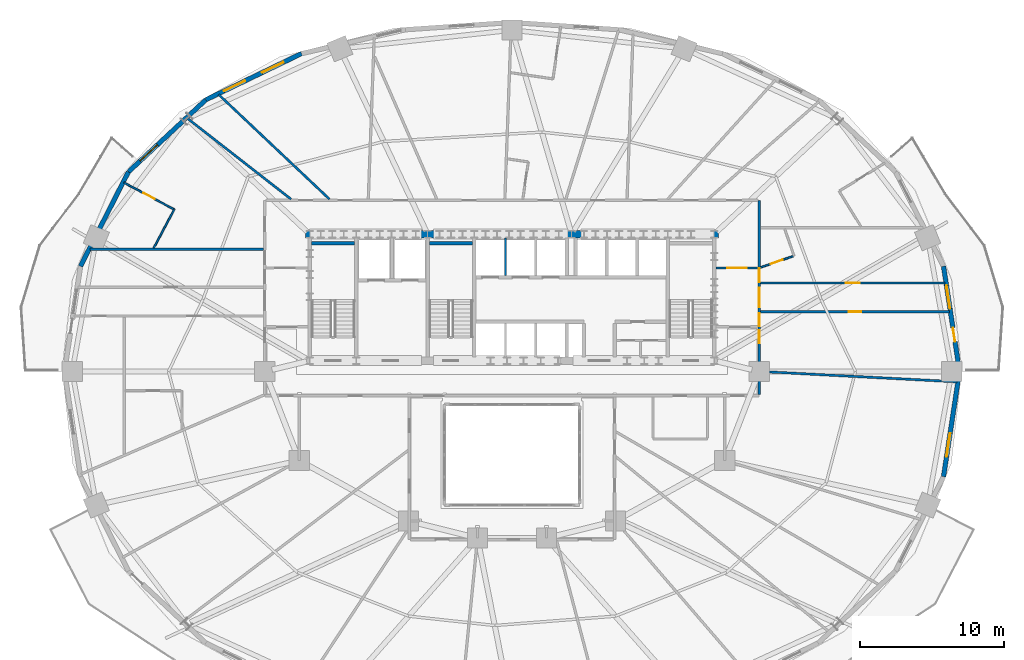
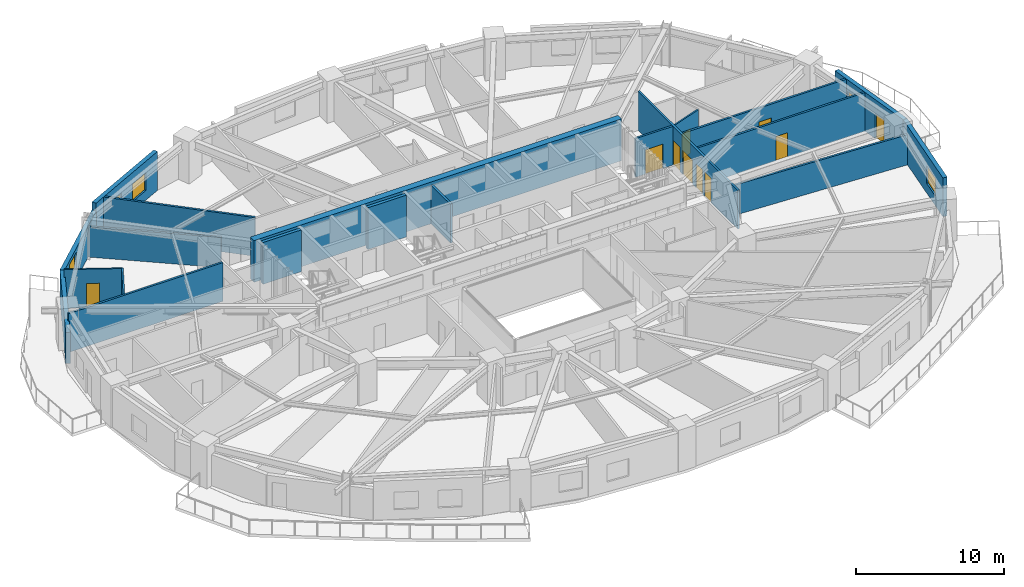
# One storey, part 12 of 18: 20 walls, 10 doors, 5 windows, 15 openings.
"""IFC4 building model written with IfcOpenShell, lengths in metres."""

import ifcopenshell
import ifcopenshell.guid

model = None  # the IFC model being written
_history = None  # IfcOwnerHistory: only IFC2X3 demands one
_inside = {}  # id of a spatial element -> (the spatial element, [elements in it])
_under = {}  # id of a project, library or spatial element -> (it, [spatial elements below it])
_declared = {}  # id of a project -> (the project, [libraries it declares])
_typed = {}  # id of a type object -> (the type object, [elements of that type])
_made_of = {}  # id of a material, layer set ... -> (it, [elements and type objects made of it])


def new_model(schema):
    """Start an empty IFC model of exactly this schema.

    Asked for "IFC4X3", IfcOpenShell would pick the latest addendum, in which some entities
    have other attributes; the version numbers below select the first issue.
    IFC2X3 requires an IfcOwnerHistory on every rooted entity: one is made here for all.
    """
    global model, _history
    if schema == "IFC4X3":
        model = ifcopenshell.file(schema_version=(4, 3, 0, 0))
    else:
        model = ifcopenshell.file(schema=schema)
    _inside.clear()
    _under.clear()
    _declared.clear()
    _typed.clear()
    _made_of.clear()
    _history = None
    if model.schema == "IFC2X3":
        org = make("IfcOrganization", Name="unknown")
        user = make(
            "IfcPersonAndOrganization",
            ThePerson=make("IfcPerson", FamilyName="unknown"),
            TheOrganization=org,
        )
        app = make(
            "IfcApplication",
            ApplicationDeveloper=org,
            Version="unknown",
            ApplicationFullName="unknown",
            ApplicationIdentifier="unknown",
        )
        _history = make(
            "IfcOwnerHistory",
            OwningUser=user,
            OwningApplication=app,
            ChangeAction="ADDED",
            CreationDate=0,
        )
    return model


def make(cls, **values):
    """One entity of the class cls with the attributes given. An attribute that is None is left unset."""
    return model.create_entity(
        cls, **{name: value for name, value in values.items() if value is not None}
    )


def rooted(cls, **values):
    """An entity with a GlobalId (a new one), such as an element, a storey or a relation."""
    return make(cls, GlobalId=ifcopenshell.guid.new(), OwnerHistory=_history, **values)


def si_unit(unit_type, name, prefix=None):
    """IfcSIUnit, for example si_unit("LENGTHUNIT", "METRE", prefix="MILLI")."""
    return make("IfcSIUnit", UnitType=unit_type, Prefix=prefix, Name=name)


def assignment(units):
    """IfcUnitAssignment: the units of a project."""
    return None if units is None else make("IfcUnitAssignment", Units=units)


def point(xyz):
    """IfcCartesianPoint."""
    return None if xyz is None else make("IfcCartesianPoint", Coordinates=xyz)


def direction(xyz):
    """IfcDirection."""
    return None if xyz is None else make("IfcDirection", DirectionRatios=xyz)


def frame(location, z_axis=None, x_axis=None):
    """IfcAxis2Placement3D, a coordinate frame: its origin and axes. An axis left out is left unset."""
    return make(
        "IfcAxis2Placement3D",
        Location=point(location),
        Axis=direction(z_axis),
        RefDirection=direction(x_axis),
    )


def frame_2d(location, x_axis=None):
    """IfcAxis2Placement2D, a coordinate frame in the plane: its origin and x axis."""
    return make(
        "IfcAxis2Placement2D", Location=point(location), RefDirection=direction(x_axis)
    )


def origin():
    """The frame at (0, 0, 0) with its axes left unset."""
    return frame((0.0, 0.0, 0.0))


def place(relative_to, where):
    """IfcLocalPlacement: puts the frame where relative to a parent placement (None: the world)."""
    return make(
        "IfcLocalPlacement", PlacementRelTo=relative_to, RelativePlacement=where
    )


def context(
    kind, dimensions, precision=None, world=None, true_north=None, identifier=None
):
    """IfcGeometricRepresentationContext, for example the 3D "Model" context."""
    return make(
        "IfcGeometricRepresentationContext",
        ContextIdentifier=identifier,
        ContextType=kind,
        CoordinateSpaceDimension=dimensions,
        Precision=precision,
        WorldCoordinateSystem=world,
        TrueNorth=true_north,
    )


def subcontext(parent, identifier, kind, view, scale=None):
    """IfcGeometricRepresentationSubContext, for example "Body" below "Model"."""
    return make(
        "IfcGeometricRepresentationSubContext",
        ContextIdentifier=identifier,
        ContextType=kind,
        ParentContext=parent,
        TargetScale=scale,
        TargetView=view,
    )


def project(units=None, contexts=None):
    """IfcProject with its units and contexts."""
    return rooted(
        "IfcProject",
        Name="project",
        RepresentationContexts=contexts,
        UnitsInContext=assignment(units),
    )


def spatial(cls, under=None, at=None, **own):
    """A site, building, storey or space (cls), placed at a placement, below another one or the project."""
    s = rooted(cls, ObjectPlacement=at, **own)
    if under is not None:
        _under.setdefault(under.id(), (under, []))[1].append(s)
    return s


def profile(cls, at=None, kind="AREA", **sizes):
    """A parametric profile (cls). Its sizes go by their IFC names, for example OverallWidth=200.0."""
    return make(cls, ProfileType=kind, Position=at, **sizes)


def rectangle(**sizes):
    """IfcRectangleProfileDef."""
    return profile("IfcRectangleProfileDef", **sizes)


def extrude(swept, where, along, depth):
    """IfcExtrudedAreaSolid: the profile swept, set in the frame where, extruded along a direction by depth."""
    return make(
        "IfcExtrudedAreaSolid",
        SweptArea=swept,
        Position=where,
        ExtrudedDirection=direction(along),
        Depth=depth,
    )


def shape(context_of_items, identifier, shape_type, items):
    """IfcShapeRepresentation: the items that make up one representation, for example the "Body"."""
    return make(
        "IfcShapeRepresentation",
        ContextOfItems=context_of_items,
        RepresentationIdentifier=identifier,
        RepresentationType=shape_type,
        Items=items,
    )


def material(Name=None, Category=None):
    """IfcMaterial."""
    return make("IfcMaterial", Name=Name, Category=Category)


def layer(
    of_material, thickness, ventilated=None, Name=None, Category=None, Priority=None
):
    """IfcMaterialLayer: one layer of a wall or slab, of a material (None: an air gap)."""
    return make(
        "IfcMaterialLayer",
        Material=of_material,
        LayerThickness=thickness,
        IsVentilated=ventilated,
        Name=Name,
        Category=Category,
        Priority=Priority,
    )


def layer_set(layers, Name=None):
    """IfcMaterialLayerSet."""
    return make("IfcMaterialLayerSet", MaterialLayers=layers, LayerSetName=Name)


def made_of(thing, what):
    """Note that an element or type object is made of a material, layer set ...; save() writes the relation."""
    if what is not None:
        _made_of.setdefault(what.id(), (what, []))[1].append(thing)
    return thing


def type_object(cls, material=None, **own):
    """A type object (cls), such as IfcWallType, which elements share."""
    return made_of(rooted(cls, **own), material)


def element(
    cls,
    number,
    at=None,
    inside=None,
    cuts=None,
    type_object=None,
    material=None,
    context=None,
    identifier="Body",
    shape_type=None,
    held_by="IfcProductDefinitionShape",
    body=None,
    shapes=None,
    **own,
):
    """One element of the class cls, such as IfcWall. Its Tag is "e" and its number.

    at: its placement. inside: the storey or other place that contains it. cuts: it is an
    opening in that element (IfcRelVoidsElement). A single representation is given by context,
    identifier, shape_type and body (its items); several are given by shapes. held_by: the class
    of the entity that holds the representations. save() writes the other relations.
    """
    e = rooted(cls, Tag="e%d" % number, ObjectPlacement=at, **own)
    if body is not None:
        shapes = [shape(context, identifier, shape_type, body)]
    if shapes is not None:
        e.Representation = make(held_by, Representations=shapes)
    if inside is not None:
        _inside.setdefault(inside.id(), (inside, []))[1].append(e)
    if cuts is not None:
        rooted(
            "IfcRelVoidsElement", RelatingBuildingElement=cuts, RelatedOpeningElement=e
        )
    if type_object is not None:
        _typed.setdefault(type_object.id(), (type_object, []))[1].append(e)
    return made_of(e, material)


def fill(opening, filler):
    """IfcRelFillsElement: the door or window that sits in an opening."""
    return rooted(
        "IfcRelFillsElement",
        RelatingOpeningElement=opening,
        RelatedBuildingElement=filler,
    )


def aggregate(whole, parts):
    """IfcRelAggregates: a whole, such as a stair, and the parts it consists of."""
    return rooted("IfcRelAggregates", RelatingObject=whole, RelatedObjects=parts)


def save(model, path):
    """Write the relations noted so far, then the file.

    IfcRelAggregates (storeys below a building ...), IfcRelContainedInSpatialStructure (elements
    in a storey), IfcRelDefinesByType, IfcRelAssociatesMaterial and IfcRelDeclares: one each for
    every whole, place, type object, material and project.
    """
    for whole, parts in _under.values():
        aggregate(whole, parts)
    for where, things in _inside.values():
        rooted(
            "IfcRelContainedInSpatialStructure",
            RelatedElements=things,
            RelatingStructure=where,
        )
    for kind, things in _typed.values():
        rooted("IfcRelDefinesByType", RelatedObjects=things, RelatingType=kind)
    for what, things in _made_of.values():
        rooted("IfcRelAssociatesMaterial", RelatedObjects=things, RelatingMaterial=what)
    for by, libraries in _declared.values():
        rooted("IfcRelDeclares", RelatingContext=by, RelatedDefinitions=libraries)
    model.write(path)


model = new_model("IFC4")

# Units and contexts
model_context = context("Model", 3, precision=1e-05, world=origin(), true_north=direction((0.0, 1.0)))
body_context = subcontext(model_context, "Body", "Model", "MODEL_VIEW")
ifc_project = project(units=[si_unit("LENGTHUNIT", "METRE"), si_unit("AREAUNIT", "SQUARE_METRE"), si_unit("VOLUMEUNIT", "CUBIC_METRE"), si_unit("PLANEANGLEUNIT", "RADIAN"), si_unit("MASSUNIT", "GRAM", prefix="KILO")], contexts=[model_context])

# Site, building, storey
site_placement = place(None, origin())
site = spatial("IfcSite", under=ifc_project, at=site_placement, CompositionType="ELEMENT")
building_placement = place(site_placement, origin())
building = spatial("IfcBuilding", under=site, at=building_placement, Name="Haldorwick Loom Tower", CompositionType="ELEMENT")
storey_placement = place(building_placement, frame((0.0, 0.0, 41.25)))
storey = spatial("IfcBuildingStorey", under=building, at=storey_placement, Name="L10", CompositionType="ELEMENT", Elevation=41.25)

# Wall, openings, door, window
ifc_material_1 = material(Name="Pressed Clay Face Brick and Insulated Masonry Backup Assembly", Category="masonry")
ifc_layer_1 = layer(ifc_material_1, 0.320068359375, Name="Pressed Clay Face Brick and Insulated Masonry Backup Assembly", Category="masonry")
ifc_layer_set_1 = layer_set([ifc_layer_1], Name="Pressed Clay Face Brick and Insulated Masonry Backup Assembly")
wall_type_1 = type_object("IfcWallType", Name="ARC-WL-EXT320", PredefinedType="STANDARD", material=ifc_layer_set_1)
wall_1_placement = place(storey_placement, frame((67.135986328125, 26.0, 0.0), z_axis=(0.0, 0.0, 1.0), x_axis=(-0.150476322528, 0.988613613278, 0.0)))
wall_1 = element("IfcWall", 1, at=wall_1_placement, inside=storey, type_object=wall_type_1, Name="L10 Brick Pier and Spandrel Wall 1", PredefinedType="STANDARD", context=body_context, shape_type="SweptSolid", body=[
    extrude(rectangle(XDim=7.40478515625, YDim=0.320068359375, at=frame_2d((3.702392578125, 0.0))), origin(), (0.0, 0.0, 1.0), 3.2099609375),
])
opening_1_placement = place(wall_1_placement, frame((2.087646484375, 0.0, 0.0)))
opening_1 = element("IfcOpeningElement", 2, at=opening_1_placement, cuts=wall_1, Name="Opening D-BL10", PredefinedType="OPENING", context=body_context, shape_type="SweptSolid", body=[
    extrude(rectangle(XDim=1.0, YDim=2.0400390625, at=frame_2d((0.5, 1.02001953125))), frame((0.0, 0.169921875, 0.0), z_axis=(0.0, -1.0, 0.0), x_axis=(1.0, 0.0, 0.0)), (0.0, 0.0, 1.0), 0.340087890625),
])
opening_2_placement = place(wall_1_placement, frame((4.39990234375, 0.0, 0.800048828125)))
opening_2 = element("IfcOpeningElement", 3, at=opening_2_placement, cuts=wall_1, Name="Opening W-01B", PredefinedType="OPENING", context=body_context, shape_type="SweptSolid", body=[
    extrude(rectangle(XDim=1.64990234375, YDim=1.449951171875, at=frame_2d((0.824951171875, 0.72509765625))), frame((0.0, 0.169921875, 0.0), z_axis=(0.0, -1.0, 0.0), x_axis=(1.0, 0.0, 0.0)), (0.0, 0.0, 1.0), 0.340087890625),
])
ifc_material_2 = material(Name="Thermally Broken Anodized Aluminium Curtain Wall Framing", Category="aluminium")
door_type_1 = type_object("IfcDoorType", Name="ARC-DR-BAL100", OperationType="NOTDEFINED", PredefinedType="DOOR", material=ifc_material_2)
door_1_placement = place(opening_1_placement, origin())
door_1 = element("IfcDoor", 4, at=door_1_placement, inside=storey, type_object=door_type_1, Name="L10 Outdoor Terrace Door SLB-L10-BAL_ENE", OperationType="SINGLE_SWING_RIGHT", OverallHeight=2.0400390625, OverallWidth=1.0, PredefinedType="DOOR", context=body_context, shape_type="SweptSolid", body=[
    extrude(rectangle(XDim=1.0, YDim=2.0400390625, at=frame_2d((0.5, 1.02001953125))), frame((0.0, 0.02490234375, 0.0), z_axis=(0.0, -1.0, 0.0), x_axis=(1.0, 0.0, 0.0)), (0.0, 0.0, 1.0), 0.050048828125),
])
fill(opening_1, door_1)
ifc_material_3 = material(Name="Triple-Glazed Low-E Argon Insulated Glazing Unit", Category="glass")
window_type = type_object("IfcWindowType", Name="ARC-WIN-W165", PartitioningType="SINGLE_PANEL", PredefinedType="WINDOW", material=ifc_material_3)
window_1_placement = place(opening_2_placement, origin())
window_1 = element("IfcWindow", 5, at=window_1_placement, inside=storey, type_object=window_type, Name="L10 Deep-Set Zone 7A Window 1", OverallHeight=1.449951171875, OverallWidth=1.64990234375, PartitioningType="SINGLE_PANEL", PredefinedType="WINDOW", context=body_context, shape_type="SweptSolid", body=[
    extrude(rectangle(XDim=1.64990234375, YDim=1.449951171875, at=frame_2d((0.824951171875, 0.72509765625))), frame((0.0, 0.030029296875, 0.0), z_axis=(0.0, -1.0, 0.0), x_axis=(1.0, 0.0, 0.0)), (0.0, 0.0, 1.0), 0.06005859375),
])
fill(opening_2, window_1)

# Wall, openings, windows
wall_2_placement = place(storey_placement, frame((21.355224609375, 48.11572265625, 0.0), z_axis=(0.0, 0.0, 1.0), x_axis=(-0.900295710431, -0.435278800057, 0.0)))
wall_2 = element("IfcWall", 6, at=wall_2_placement, inside=storey, type_object=wall_type_1, Name="L10 Brick Pier and Spandrel Wall 9", PredefinedType="STANDARD", context=body_context, shape_type="SweptSolid", body=[
    extrude(rectangle(XDim=7.39697265625, YDim=0.320068359375, at=frame_2d((3.698486328125, 0.0))), origin(), (0.0, 0.0, 1.0), 3.2099609375),
])
opening_3_placement = place(wall_2_placement, frame((1.39404296875, 0.0, 0.800048828125)))
opening_3 = element("IfcOpeningElement", 7, at=opening_3_placement, cuts=wall_2, Name="Opening W-01B", PredefinedType="OPENING", context=body_context, shape_type="SweptSolid", body=[
    extrude(rectangle(XDim=1.64990234375, YDim=1.449951171875, at=frame_2d((0.824951171875, 0.72509765625))), frame((0.0, 0.169921875, 0.0), z_axis=(0.0, -1.0, 0.0), x_axis=(1.0, 0.0, 0.0)), (0.0, 0.0, 1.0), 0.340087890625),
])
opening_4_placement = place(wall_2_placement, frame((4.352783203125, 0.0, 0.800048828125)))
opening_4 = element("IfcOpeningElement", 8, at=opening_4_placement, cuts=wall_2, Name="Opening W-01B", PredefinedType="OPENING", context=body_context, shape_type="SweptSolid", body=[
    extrude(rectangle(XDim=1.64990234375, YDim=1.449951171875, at=frame_2d((0.824951171875, 0.72509765625))), frame((0.0, 0.169921875, 0.0), z_axis=(0.0, -1.0, 0.0), x_axis=(1.0, 0.0, 0.0)), (0.0, 0.0, 1.0), 0.340087890625),
])
window_2_placement = place(opening_3_placement, origin())
window_2 = element("IfcWindow", 9, at=window_2_placement, inside=storey, type_object=window_type, Name="L10 Deep-Set Zone 7A Window 9", OverallHeight=1.449951171875, OverallWidth=1.64990234375, PartitioningType="SINGLE_PANEL", PredefinedType="WINDOW", context=body_context, shape_type="SweptSolid", body=[
    extrude(rectangle(XDim=1.64990234375, YDim=1.449951171875, at=frame_2d((0.824951171875, 0.72509765625))), frame((0.0, 0.030029296875, 0.0), z_axis=(0.0, -1.0, 0.0), x_axis=(1.0, 0.0, 0.0)), (0.0, 0.0, 1.0), 0.06005859375),
])
fill(opening_3, window_2)
window_3_placement = place(opening_4_placement, origin())
window_3 = element("IfcWindow", 10, at=window_3_placement, inside=storey, type_object=window_type, Name="L10 Deep-Set Zone 7A Window 9", OverallHeight=1.449951171875, OverallWidth=1.64990234375, PartitioningType="SINGLE_PANEL", PredefinedType="WINDOW", context=body_context, shape_type="SweptSolid", body=[
    extrude(rectangle(XDim=1.64990234375, YDim=1.449951171875, at=frame_2d((0.824951171875, 0.72509765625))), frame((0.0, 0.030029296875, 0.0), z_axis=(0.0, -1.0, 0.0), x_axis=(1.0, 0.0, 0.0)), (0.0, 0.0, 1.0), 0.06005859375),
])
fill(opening_4, window_3)

# Wall, opening, window
wall_3_placement = place(storey_placement, frame((14.69580078125, 44.89599609375, 0.0), z_axis=(0.0, 0.0, 1.0), x_axis=(-0.73176101237, -0.681561311091, 0.0)))
wall_3 = element("IfcWall", 11, at=wall_3_placement, inside=storey, type_object=wall_type_1, Name="L10 Brick Pier and Spandrel Wall 10", PredefinedType="STANDARD", context=body_context, shape_type="SweptSolid", body=[
    extrude(rectangle(XDim=7.3583984375, YDim=0.320068359375, at=frame_2d((3.67919921875, 0.0))), origin(), (0.0, 0.0, 1.0), 2.569091796875),
])
opening_5_placement = place(wall_3_placement, frame((4.590087890625, 0.0, 0.800048828125)))
opening_5 = element("IfcOpeningElement", 12, at=opening_5_placement, cuts=wall_3, Name="Opening W-01B", PredefinedType="OPENING", context=body_context, shape_type="SweptSolid", body=[
    extrude(rectangle(XDim=1.64990234375, YDim=1.449951171875, at=frame_2d((0.824951171875, 0.72509765625))), frame((0.0, 0.169921875, 0.0), z_axis=(0.0, -1.0, 0.0), x_axis=(1.0, 0.0, 0.0)), (0.0, 0.0, 1.0), 0.340087890625),
])
window_4_placement = place(opening_5_placement, origin())
window_4 = element("IfcWindow", 13, at=window_4_placement, inside=storey, type_object=window_type, Name="L10 Deep-Set Zone 7A Window 10", OverallHeight=1.449951171875, OverallWidth=1.64990234375, PartitioningType="SINGLE_PANEL", PredefinedType="WINDOW", context=body_context, shape_type="SweptSolid", body=[
    extrude(rectangle(XDim=1.64990234375, YDim=1.449951171875, at=frame_2d((0.824951171875, 0.72509765625))), frame((0.0, 0.030029296875, 0.0), z_axis=(0.0, -1.0, 0.0), x_axis=(1.0, 0.0, 0.0)), (0.0, 0.0, 1.0), 0.06005859375),
])
fill(opening_5, window_4)

# Wall
wall_4_placement = place(storey_placement, frame((9.311279296875, 39.880859375, 0.0), z_axis=(0.0, 0.0, 1.0), x_axis=(-0.452950855928, -0.891535485617, 0.0)))
element("IfcWall", 14, at=wall_4_placement, inside=storey, type_object=wall_type_1, Name="L10 Brick Pier and Spandrel Wall 11", PredefinedType="STANDARD", context=body_context, shape_type="SweptSolid", body=[
    extrude(rectangle(XDim=7.3583984375, YDim=0.320068359375, at=frame_2d((3.67919921875, 0.0))), origin(), (0.0, 0.0, 1.0), 2.569091796875),
])

# Wall, opening, window
wall_5_placement = place(storey_placement, frame((66.021728515625, 18.679443359375, 0.0), z_axis=(0.0, 0.0, 1.0), x_axis=(0.150476322528, 0.988613613278, 0.0)))
wall_5 = element("IfcWall", 15, at=wall_5_placement, inside=storey, type_object=wall_type_1, Name="L10 Brick Pier and Spandrel Wall 24", PredefinedType="STANDARD", context=body_context, shape_type="SweptSolid", body=[
    extrude(rectangle(XDim=7.40478515625, YDim=0.320068359375, at=frame_2d((3.702392578125, 0.0))), origin(), (0.0, 0.0, 1.0), 3.2099609375),
])
opening_6_placement = place(wall_5_placement, frame((1.396484375, 0.0, 0.800048828125)))
opening_6 = element("IfcOpeningElement", 16, at=opening_6_placement, cuts=wall_5, Name="Opening W-01B", PredefinedType="OPENING", context=body_context, shape_type="SweptSolid", body=[
    extrude(rectangle(XDim=1.64990234375, YDim=1.449951171875, at=frame_2d((0.824951171875, 0.72509765625))), frame((0.0, 0.169921875, 0.0), z_axis=(0.0, -1.0, 0.0), x_axis=(1.0, 0.0, 0.0)), (0.0, 0.0, 1.0), 0.340087890625),
])
window_5_placement = place(opening_6_placement, origin())
window_5 = element("IfcWindow", 17, at=window_5_placement, inside=storey, type_object=window_type, Name="L10 Deep-Set Zone 7A Window 24", OverallHeight=1.449951171875, OverallWidth=1.64990234375, PartitioningType="SINGLE_PANEL", PredefinedType="WINDOW", context=body_context, shape_type="SweptSolid", body=[
    extrude(rectangle(XDim=1.64990234375, YDim=1.449951171875, at=frame_2d((0.824951171875, 0.72509765625))), frame((0.0, 0.030029296875, 0.0), z_axis=(0.0, -1.0, 0.0), x_axis=(1.0, 0.0, 0.0)), (0.0, 0.0, 1.0), 0.06005859375),
])
fill(opening_6, window_5)

# Wall, openings, doors
ifc_material_4 = material(Name="Fire-Rated Type X Gypsum Stud Assembly EI 60")
ifc_layer_2 = layer(ifc_material_4, 0.159912109375, Name="Fire-Rated Type X Gypsum Stud Assembly EI 60")
ifc_layer_set_2 = layer_set([ifc_layer_2], Name="Fire-Rated Type X Gypsum Stud Assembly EI 60")
wall_type_2 = type_object("IfcWallType", Name="ARC-WL-FIRE160", PredefinedType="PARTITIONING", material=ifc_layer_set_2)
wall_6_placement = place(storey_placement, frame((53.199951171875, 24.383056640625, 0.0), z_axis=(0.0, 0.0, 1.0), x_axis=(0.0, 1.0, 0.0)))
wall_6 = element("IfcWall", 18, at=wall_6_placement, inside=storey, type_object=wall_type_2, Name="L10 Residential Fire Partition L10-CR-E0", PredefinedType="PARTITIONING", context=body_context, shape_type="SweptSolid", body=[
    extrude(rectangle(XDim=13.516845703125, YDim=0.159912109375, at=frame_2d((6.75830078125, 0.0))), origin(), (0.0, 0.0, 1.0), 3.195068359375),
])
opening_7_placement = place(wall_6_placement, frame((6.08349609375, 0.0, 0.0)))
opening_7 = element("IfcOpeningElement", 19, at=opening_7_placement, cuts=wall_6, Name="Opening D-CR15", PredefinedType="OPENING", context=body_context, shape_type="SweptSolid", body=[
    extrude(rectangle(XDim=1.35009765625, YDim=2.0, at=frame_2d((0.675048828125, 1.0))), frame((0.0, 0.08984375, 0.0), z_axis=(0.0, -1.0, 0.0), x_axis=(1.0, 0.0, 0.0)), (0.0, 0.0, 1.0), 0.179931640625),
])
opening_8_placement = place(wall_6_placement, frame((3.5908203125, 0.0, 0.0)))
opening_8 = element("IfcOpeningElement", 20, at=opening_8_placement, cuts=wall_6, Name="Opening D-FD60A", PredefinedType="OPENING", context=body_context, shape_type="SweptSolid", body=[
    extrude(rectangle(XDim=0.89990234375, YDim=2.0, at=frame_2d((0.449951171875, 1.0))), frame((0.0, 0.08984375, 0.0), z_axis=(0.0, -1.0, 0.0), x_axis=(1.0, 0.0, 0.0)), (0.0, 0.0, 1.0), 0.179931640625),
])
opening_9_placement = place(wall_6_placement, frame((4.75732421875, 0.0, 0.0)))
opening_9 = element("IfcOpeningElement", 21, at=opening_9_placement, cuts=wall_6, Name="Opening D-FD60A", PredefinedType="OPENING", context=body_context, shape_type="SweptSolid", body=[
    extrude(rectangle(XDim=0.89990234375, YDim=2.0, at=frame_2d((0.449951171875, 1.0))), frame((0.0, 0.08984375, 0.0), z_axis=(0.0, -1.0, 0.0), x_axis=(1.0, 0.0, 0.0)), (0.0, 0.0, 1.0), 0.179931640625),
])
opening_10_placement = place(wall_6_placement, frame((7.834716796875, 0.0, 0.0)))
opening_10 = element("IfcOpeningElement", 22, at=opening_10_placement, cuts=wall_6, Name="Opening D-FL95", PredefinedType="OPENING", context=body_context, shape_type="SweptSolid", body=[
    extrude(rectangle(XDim=0.949951171875, YDim=2.0400390625, at=frame_2d((0.47509765625, 1.02001953125))), frame((0.0, 0.08984375, 0.0), z_axis=(0.0, -1.0, 0.0), x_axis=(1.0, 0.0, 0.0)), (0.0, 0.0, 1.0), 0.179931640625),
])
ifc_material_5 = material(Name="Thermally Broken Anodized Aluminium and Tempered Glass", Category="aluminium")
door_type_2 = type_object("IfcDoorType", Name="ARC-DR-COR150", OperationType="NOTDEFINED", PredefinedType="DOOR", material=ifc_material_5)
door_2_placement = place(opening_7_placement, origin())
door_2 = element("IfcDoor", 23, at=door_2_placement, inside=storey, type_object=door_type_2, Name="L10 L10 East Residential Corridor to L10 East Daylight Corridor Door", OperationType="DOUBLE_DOOR_SINGLE_SWING", OverallHeight=2.0, OverallWidth=1.35009765625, PredefinedType="DOOR", context=body_context, shape_type="SweptSolid", body=[
    extrude(rectangle(XDim=1.35009765625, YDim=2.0, at=frame_2d((0.675048828125, 1.0))), frame((0.0, 0.02490234375, 0.0), z_axis=(0.0, -1.0, 0.0), x_axis=(1.0, 0.0, 0.0)), (0.0, 0.0, 1.0), 0.050048828125),
])
fill(opening_7, door_2)
ifc_material_6 = material(Name="Hollow Steel Fire Door Assembly", Category="steel")
door_type_3 = type_object("IfcDoorType", Name="ARC-DR-FD60-90", OperationType="NOTDEFINED", PredefinedType="DOOR", material=ifc_material_6)
door_3_placement = place(opening_8_placement, origin())
door_3 = element("IfcDoor", 24, at=door_3_placement, inside=storey, type_object=door_type_3, Name="L10 L10 Central Residential Corridor to Tenant Seminar Room 2 Door", OperationType="SINGLE_SWING_LEFT", OverallHeight=2.0, OverallWidth=0.89990234375, PredefinedType="DOOR", context=body_context, shape_type="SweptSolid", body=[
    extrude(rectangle(XDim=0.89990234375, YDim=2.0, at=frame_2d((0.449951171875, 1.0))), frame((0.0, 0.02490234375, 0.0), z_axis=(0.0, -1.0, 0.0), x_axis=(1.0, 0.0, 0.0)), (0.0, 0.0, 1.0), 0.050048828125),
])
fill(opening_8, door_3)
door_4_placement = place(opening_9_placement, origin())
door_4 = element("IfcDoor", 25, at=door_4_placement, inside=storey, type_object=door_type_3, Name="L10 L10 East Residential Corridor to Tenant Seminar Room 2 Door", OperationType="SINGLE_SWING_LEFT", OverallHeight=2.0, OverallWidth=0.89990234375, PredefinedType="DOOR", context=body_context, shape_type="SweptSolid", body=[
    extrude(rectangle(XDim=0.89990234375, YDim=2.0, at=frame_2d((0.449951171875, 1.0))), frame((0.0, 0.02490234375, 0.0), z_axis=(0.0, -1.0, 0.0), x_axis=(1.0, 0.0, 0.0)), (0.0, 0.0, 1.0), 0.050048828125),
])
fill(opening_9, door_4)
ifc_material_7 = material(Name="Solid Core Birch Architectural Door")
door_type_4 = type_object("IfcDoorType", Name="ARC-DR-FLAT95", OperationType="NOTDEFINED", PredefinedType="DOOR", material=ifc_material_7)
door_5_placement = place(opening_10_placement, origin())
door_5 = element("IfcDoor", 26, at=door_5_placement, inside=storey, type_object=door_type_4, Name="L10 L10 East Residential Corridor to Unit 10C Kitchen and Studio Living ", OperationType="SINGLE_SWING_RIGHT", OverallHeight=2.0400390625, OverallWidth=0.949951171875, PredefinedType="DOOR", context=body_context, shape_type="SweptSolid", body=[
    extrude(rectangle(XDim=0.949951171875, YDim=2.0400390625, at=frame_2d((0.47509765625, 1.02001953125))), frame((0.0, 0.02490234375, 0.0), z_axis=(0.0, -1.0, 0.0), x_axis=(1.0, 0.0, 0.0)), (0.0, 0.0, 1.0), 0.050048828125),
])
fill(opening_10, door_5)

# Wall, opening, door
wall_7_placement = place(storey_placement, frame((50.193115234375, 33.199951171875, 0.0), z_axis=(0.0, 0.0, 1.0), x_axis=(1.0, 0.0, 0.0)))
wall_7 = element("IfcWall", 27, at=wall_7_placement, inside=storey, type_object=wall_type_2, Name="L10 Residential Fire Partition L10-CR-ENJ", PredefinedType="PARTITIONING", context=body_context, shape_type="SweptSolid", body=[
    extrude(rectangle(XDim=2.923828125, YDim=0.159912109375, at=frame_2d((1.4619140625, 0.0))), origin(), (0.0, 0.0, 1.0), 3.195068359375),
])
opening_11_placement = place(wall_7_placement, frame((0.787109375, 0.0, 0.0)))
opening_11 = element("IfcOpeningElement", 28, at=opening_11_placement, cuts=wall_7, Name="Opening D-CR15", PredefinedType="OPENING", context=body_context, shape_type="SweptSolid", body=[
    extrude(rectangle(XDim=1.35009765625, YDim=2.0, at=frame_2d((0.675048828125, 1.0))), frame((0.0, 0.08984375, 0.0), z_axis=(0.0, -1.0, 0.0), x_axis=(1.0, 0.0, 0.0)), (0.0, 0.0, 1.0), 0.179931640625),
])
door_6_placement = place(opening_11_placement, origin())
door_6 = element("IfcDoor", 29, at=door_6_placement, inside=storey, type_object=door_type_2, Name="L10 L10 North Residential Corridor to L10 East Residential Corridor Door", OperationType="DOUBLE_DOOR_SINGLE_SWING", OverallHeight=2.0, OverallWidth=1.35009765625, PredefinedType="DOOR", context=body_context, shape_type="SweptSolid", body=[
    extrude(rectangle(XDim=1.35009765625, YDim=2.0, at=frame_2d((0.675048828125, 1.0))), frame((0.0, 0.02490234375, 0.0), z_axis=(0.0, -1.0, 0.0), x_axis=(1.0, 0.0, 0.0)), (0.0, 0.0, 1.0), 0.050048828125),
])
fill(opening_11, door_6)

wall_8_placement = place(storey_placement, frame((53.282958984375, 30.14990234375, 0.0), z_axis=(0.0, 0.0, 1.0), x_axis=(1.0, 0.0, 0.0)))
wall_8 = element("IfcWall", 30, at=wall_8_placement, inside=storey, type_object=wall_type_2, Name="L10 Residential Fire Partition L10-CR-GE0", PredefinedType="PARTITIONING", context=body_context, shape_type="SweptSolid", body=[
    extrude(rectangle(XDim=13.15576171875, YDim=0.159912109375, at=frame_2d((6.577880859375, 0.0))), origin(), (0.0, 0.0, 1.0), 3.195068359375),
])
opening_12_placement = place(wall_8_placement, frame((6.127685546875, 0.0, 0.0)))
opening_12 = element("IfcOpeningElement", 31, at=opening_12_placement, cuts=wall_8, Name="Opening D-FD60A", PredefinedType="OPENING", context=body_context, shape_type="SweptSolid", body=[
    extrude(rectangle(XDim=0.89990234375, YDim=2.0, at=frame_2d((0.449951171875, 1.0))), frame((0.0, 0.08984375, 0.0), z_axis=(0.0, -1.0, 0.0), x_axis=(1.0, 0.0, 0.0)), (0.0, 0.0, 1.0), 0.179931640625),
])
door_7_placement = place(opening_12_placement, origin())
door_7 = element("IfcDoor", 32, at=door_7_placement, inside=storey, type_object=door_type_3, Name="L10 L10 East Daylight Corridor to Tenant Seminar Room 2 Door", OperationType="SINGLE_SWING_LEFT", OverallHeight=2.0, OverallWidth=0.89990234375, PredefinedType="DOOR", context=body_context, shape_type="SweptSolid", body=[
    extrude(rectangle(XDim=0.89990234375, YDim=2.0, at=frame_2d((0.449951171875, 1.0))), frame((0.0, 0.02490234375, 0.0), z_axis=(0.0, -1.0, 0.0), x_axis=(1.0, 0.0, 0.0)), (0.0, 0.0, 1.0), 0.050048828125),
])
fill(opening_12, door_7)

wall_9_placement = place(storey_placement, frame((53.282958984375, 32.14990234375, 0.0), z_axis=(0.0, 0.0, 1.0), x_axis=(1.0, 0.0, 0.0)))
wall_9 = element("IfcWall", 33, at=wall_9_placement, inside=storey, type_object=wall_type_2, Name="L10 Residential Fire Partition L10-CR-GE1", PredefinedType="PARTITIONING", context=body_context, shape_type="SweptSolid", body=[
    extrude(rectangle(XDim=12.851318359375, YDim=0.159912109375, at=frame_2d((6.42578125, 0.0))), origin(), (0.0, 0.0, 1.0), 3.195068359375),
])
opening_13_placement = place(wall_9_placement, frame((5.95068359375, 0.0, 0.0)))
opening_13 = element("IfcOpeningElement", 34, at=opening_13_placement, cuts=wall_9, Name="Opening D-FL95", PredefinedType="OPENING", context=body_context, shape_type="SweptSolid", body=[
    extrude(rectangle(XDim=0.949951171875, YDim=2.0400390625, at=frame_2d((0.47509765625, 1.02001953125))), frame((0.0, 0.08984375, 0.0), z_axis=(0.0, -1.0, 0.0), x_axis=(1.0, 0.0, 0.0)), (0.0, 0.0, 1.0), 0.179931640625),
])
door_8_placement = place(opening_13_placement, frame((0.949951171875, 0.0, 0.0), z_axis=(0.0, 0.0, 1.0), x_axis=(-1.0, 0.0, 0.0)))
door_8 = element("IfcDoor", 35, at=door_8_placement, inside=storey, type_object=door_type_4, Name="L10 Unit 10C Kitchen and Studio Living Room to L10 East Daylight Corrido", OperationType="SINGLE_SWING_LEFT", OverallHeight=2.0400390625, OverallWidth=0.949951171875, PredefinedType="DOOR", context=body_context, shape_type="SweptSolid", body=[
    extrude(rectangle(XDim=0.949951171875, YDim=2.0400390625, at=frame_2d((0.47509765625, 1.02001953125))), frame((0.0, 0.02490234375, 0.0), z_axis=(0.0, -1.0, 0.0), x_axis=(1.0, 0.0, 0.0)), (0.0, 0.0, 1.0), 0.050048828125),
])
fill(opening_13, door_8)

# Walls
wall_10_placement = place(storey_placement, frame((53.282958984375, 25.99560546875, 0.0), z_axis=(0.0, 0.0, 1.0), x_axis=(0.998629572969, -0.052335227072, 0.0)))
element("IfcWall", 36, at=wall_10_placement, inside=storey, type_object=wall_type_2, Name="L10 Residential Fire Partition L10-ICR-01", PredefinedType="PARTITIONING", context=body_context, shape_type="SweptSolid", body=[
    extrude(rectangle(XDim=13.6962890625, YDim=0.159912109375, at=frame_2d((6.84814453125, 0.0))), origin(), (0.0, 0.0, 1.0), 2.489990234375),
])
wall_11_placement = place(storey_placement, frame((6.650390625, 34.5, 0.0), z_axis=(0.0, 0.0, 1.0), x_axis=(1.0, 0.0, 0.0)))
element("IfcWall", 37, at=wall_11_placement, inside=storey, type_object=wall_type_2, Name="L10 Residential Fire Partition L10-FLW-17", PredefinedType="PARTITIONING", context=body_context, shape_type="SweptSolid", body=[
    extrude(rectangle(XDim=12.066650390625, YDim=0.159912109375, at=frame_2d((6.033203125, 0.0))), origin(), (0.0, 0.0, 1.0), 3.195068359375),
])
wall_12_placement = place(storey_placement, frame((20.629638671875, 37.98291015625, 0.0), z_axis=(0.0, 0.0, 1.0), x_axis=(-0.788647935365, 0.614845048808, 0.0)))
element("IfcWall", 38, at=wall_12_placement, inside=storey, type_object=wall_type_2, Name="L10 Suite Split Wall", PredefinedType="PARTITIONING", context=body_context, shape_type="SweptSolid", body=[
    extrude(rectangle(XDim=9.153076171875, YDim=0.159912109375, at=frame_2d((4.57666015625, 0.0))), origin(), (0.0, 0.0, 1.0), 2.489990234375),
])
wall_13_placement = place(storey_placement, frame((23.30419921875, 37.98291015625, 0.0), z_axis=(0.0, 0.0, 1.0), x_axis=(-0.72720729729, 0.686417909708, 0.0)))
element("IfcWall", 39, at=wall_13_placement, inside=storey, type_object=wall_type_2, Name="L10 Suite Split Wall", PredefinedType="PARTITIONING", context=body_context, shape_type="SweptSolid", body=[
    extrude(rectangle(XDim=10.60009765625, YDim=0.159912109375, at=frame_2d((5.300048828125, 0.0))), origin(), (0.0, 0.0, 1.0), 3.195068359375),
])

# Wall, opening, door
ifc_material_8 = material(Name="Acoustic Gypsum Stud Assembly STC 55")
ifc_layer_3 = layer(ifc_material_8, 0.1201171875, Name="Acoustic Gypsum Stud Assembly STC 55")
ifc_layer_set_3 = layer_set([ifc_layer_3], Name="Acoustic Gypsum Stud Assembly STC 55")
wall_type_3 = type_object("IfcWallType", Name="ARC-WL-PART120", PredefinedType="PARTITIONING", material=ifc_layer_set_3)
wall_14_placement = place(storey_placement, frame((53.282958984375, 33.23388671875, 0.0), z_axis=(0.0, 0.0, 1.0), x_axis=(0.94569244176, 0.325062771782, 0.0)))
wall_14 = element("IfcWall", 40, at=wall_14_placement, inside=storey, type_object=wall_type_3, Name="L10 Unit 10C Interior Partition", PredefinedType="PARTITIONING", context=body_context, shape_type="SweptSolid", body=[
    extrude(rectangle(XDim=2.40869140625, YDim=0.1201171875, at=frame_2d((1.204345703125, 0.0))), origin(), (0.0, 0.0, 1.0), 3.195068359375),
])
opening_14_placement = place(wall_14_placement, frame((0.764404296875, 0.0, 0.0)))
opening_14 = element("IfcOpeningElement", 41, at=opening_14_placement, cuts=wall_14, Name="Opening D-BT88", PredefinedType="OPENING", context=body_context, shape_type="SweptSolid", body=[
    extrude(rectangle(XDim=0.8798828125, YDim=2.02001953125, at=frame_2d((0.43994140625, 1.010009765625))), frame((0.0, 0.070068359375, 0.0), z_axis=(0.0, -1.0, 0.0), x_axis=(1.0, 0.0, 0.0)), (0.0, 0.0, 1.0), 0.14013671875),
])
door_type_5 = type_object("IfcDoorType", Name="ARC-DR-BATH88", OperationType="NOTDEFINED", PredefinedType="DOOR", material=ifc_material_7)
door_9_placement = place(opening_14_placement, origin())
door_9 = element("IfcDoor", 42, at=door_9_placement, inside=storey, type_object=door_type_5, Name="L10 Unit 10C Bathroom to Unit 10C Kitchen and Studio Living Room Door", OperationType="SINGLE_SWING_LEFT", OverallHeight=2.02001953125, OverallWidth=0.8798828125, PredefinedType="DOOR", context=body_context, shape_type="SweptSolid", body=[
    extrude(rectangle(XDim=0.8798828125, YDim=2.02001953125, at=frame_2d((0.43994140625, 1.010009765625))), frame((0.0, 0.02490234375, 0.0), z_axis=(0.0, -1.0, 0.0), x_axis=(1.0, 0.0, 0.0)), (0.0, 0.0, 1.0), 0.050048828125),
])
fill(opening_14, door_9)

# Wall
wall_15_placement = place(storey_placement, frame((12.503173828125, 37.26904296875, 0.0), z_axis=(0.0, 0.0, 1.0), x_axis=(-0.470604885421, -0.882344060907, 0.0)))
element("IfcWall", 43, at=wall_15_placement, inside=storey, type_object=wall_type_3, Name="L10 Unit 10D Interior Partition", PredefinedType="PARTITIONING", context=body_context, shape_type="SweptSolid", body=[
    extrude(rectangle(XDim=3.044189453125, YDim=0.1201171875, at=frame_2d((1.52197265625, 0.0))), origin(), (0.0, 0.0, 1.0), 3.195068359375),
])

# Wall, opening, door
wall_16_placement = place(storey_placement, frame((12.503173828125, 37.26904296875, 0.0), z_axis=(0.0, 0.0, 1.0), x_axis=(-0.882356350336, 0.470581843064, 0.0)))
wall_16 = element("IfcWall", 44, at=wall_16_placement, inside=storey, type_object=wall_type_3, Name="L10 Unit 10D Interior Partition", PredefinedType="PARTITIONING", context=body_context, shape_type="SweptSolid", body=[
    extrude(rectangle(XDim=3.964599609375, YDim=0.1201171875, at=frame_2d((1.982421875, 0.0))), origin(), (0.0, 0.0, 1.0), 3.195068359375),
])
opening_15_placement = place(wall_16_placement, frame((1.542236328125, 0.0, 0.0)))
opening_15 = element("IfcOpeningElement", 45, at=opening_15_placement, cuts=wall_16, Name="Opening D-BT88", PredefinedType="OPENING", context=body_context, shape_type="SweptSolid", body=[
    extrude(rectangle(XDim=0.8798828125, YDim=2.02001953125, at=frame_2d((0.43994140625, 1.010009765625))), frame((0.0, 0.070068359375, 0.0), z_axis=(0.0, -1.0, 0.0), x_axis=(1.0, 0.0, 0.0)), (0.0, 0.0, 1.0), 0.14013671875),
])
door_10_placement = place(opening_15_placement, origin())
door_10 = element("IfcDoor", 46, at=door_10_placement, inside=storey, type_object=door_type_5, Name="L10 Unit 10D Bathroom to Unit 10D Kitchen and Studio Living Room Door", OperationType="SINGLE_SWING_RIGHT", OverallHeight=2.02001953125, OverallWidth=0.8798828125, PredefinedType="DOOR", context=body_context, shape_type="SweptSolid", body=[
    extrude(rectangle(XDim=0.8798828125, YDim=2.02001953125, at=frame_2d((0.43994140625, 1.010009765625))), frame((0.0, 0.02490234375, 0.0), z_axis=(0.0, -1.0, 0.0), x_axis=(1.0, 0.0, 0.0)), (0.0, 0.0, 1.0), 0.050048828125),
])
fill(opening_15, door_10)

# Walls
ifc_material_9 = material(Name="Fire-Rated Type X Gypsum Stud Assembly EI 120")
ifc_layer_4 = layer(ifc_material_9, 0.1650390625, Name="Fire-Rated Type X Gypsum Stud Assembly EI 120")
ifc_layer_set_4 = layer_set([ifc_layer_4], Name="Fire-Rated Type X Gypsum Stud Assembly EI 120")
wall_type_4 = type_object("IfcWallType", Name="ARC-WL-SHAFT160", PredefinedType="MOVABLE", material=ifc_layer_set_4)
wall_17_placement = place(storey_placement, frame((35.550048828125, 32.673095703125, 0.0), z_axis=(0.0, 0.0, 1.0), x_axis=(0.0, 1.0, 0.0)))
element("IfcWall", 47, at=wall_17_placement, inside=storey, type_object=wall_type_4, Name="L10 Low-Rise Hoistway Divider 1", PredefinedType="MOVABLE", context=body_context, shape_type="SweptSolid", body=[
    extrude(rectangle(XDim=2.6240234375, YDim=0.159912109375, at=frame_2d((1.31201171875, 0.0))), origin(), (0.0, 0.0, 1.0), 3.195068359375),
])
ifc_material_10 = material(Name="Concrete C60 (60 MPa)", Category="concrete")
ifc_layer_5 = layer(ifc_material_10, 0.5, Name="Concrete C60 (60 MPa)", Category="concrete")
ifc_layer_set_5 = layer_set([ifc_layer_5], Name="Concrete C60 (60 MPa)")
wall_type_5 = type_object("IfcWallType", Name="STR-WL-CORE500", PredefinedType="SHEAR", material=ifc_layer_set_5)
wall_18_placement = place(storey_placement, frame((50.35009765625, 35.550048828125, 0.0), z_axis=(0.0, 0.0, 1.0), x_axis=(-1.0, 0.0, 0.0)))
element("IfcWall", 48, at=wall_18_placement, inside=storey, type_object=wall_type_5, Name="L10 Core Shear Wall N", PredefinedType="SHEAR", context=body_context, shape_type="SweptSolid", body=[
    extrude(rectangle(XDim=28.7001953125, YDim=0.5, at=frame_2d((14.35009765625, 0.0))), origin(), (0.0, 0.0, 1.0), 3.449951171875),
])
ifc_material_11 = material(Name="Concrete C50 (50 MPa)", Category="concrete")
ifc_layer_6 = layer(ifc_material_11, 0.239990234375, Name="Concrete C50 (50 MPa)", Category="concrete")
ifc_layer_set_6 = layer_set([ifc_layer_6], Name="Concrete C50 (50 MPa)")
wall_type_6 = type_object("IfcWallType", Name="STR-WL-SHAFT240", PredefinedType="SHEAR", material=ifc_layer_set_6)
for number, where, z_axis, x_axis, name in (
    (49, (22.052978515625, 34.919921875, 0.0), (0.0, 0.0, 1.0), (1.0, 0.0, 0.0), "L10 Core Shear Wall 1N"),
    (50, (30.2529296875, 34.919921875, 0.0), (0.0, 0.0, 1.0), (1.0, 0.0, 0.0), "L10 Core Shear Wall 3N"),
):
    element("IfcWall", number, at=place(storey_placement, frame(where, z_axis=z_axis, x_axis=x_axis)), inside=storey, type_object=wall_type_6, Name=name, PredefinedType="SHEAR", context=body_context, shape_type="SweptSolid", body=[
        extrude(rectangle(XDim=2.994140625, YDim=0.239990234375, at=frame_2d((1.4970703125, 0.0))), origin(), (0.0, 0.0, 1.0), 3.449951171875),
    ])

save(model, "model.ifc")
